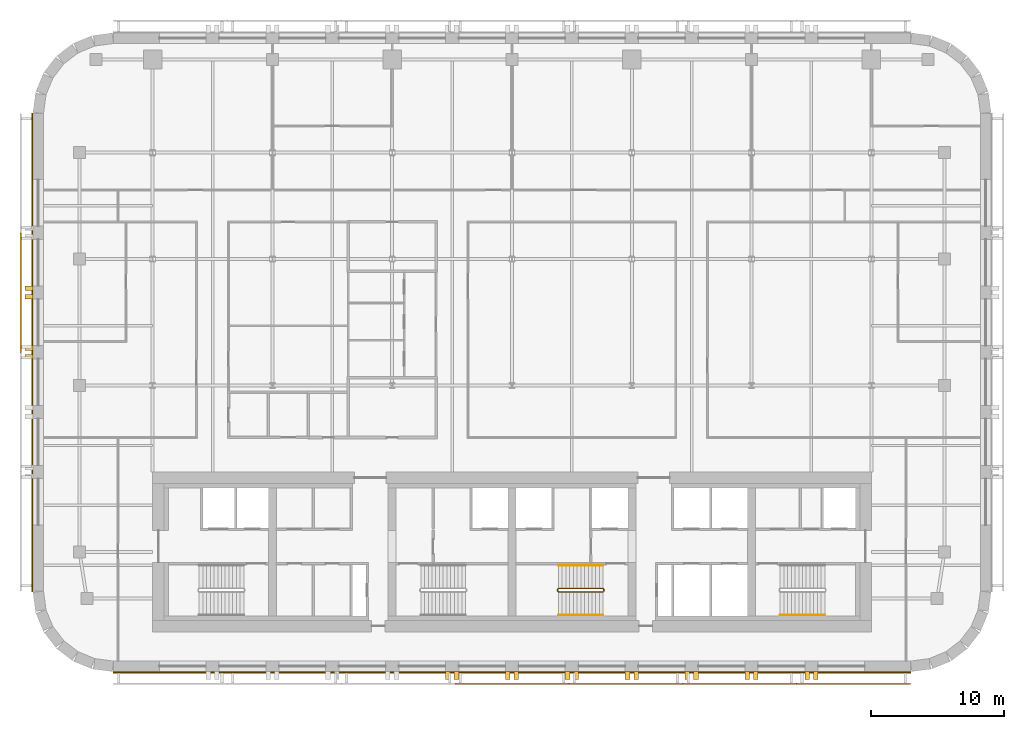
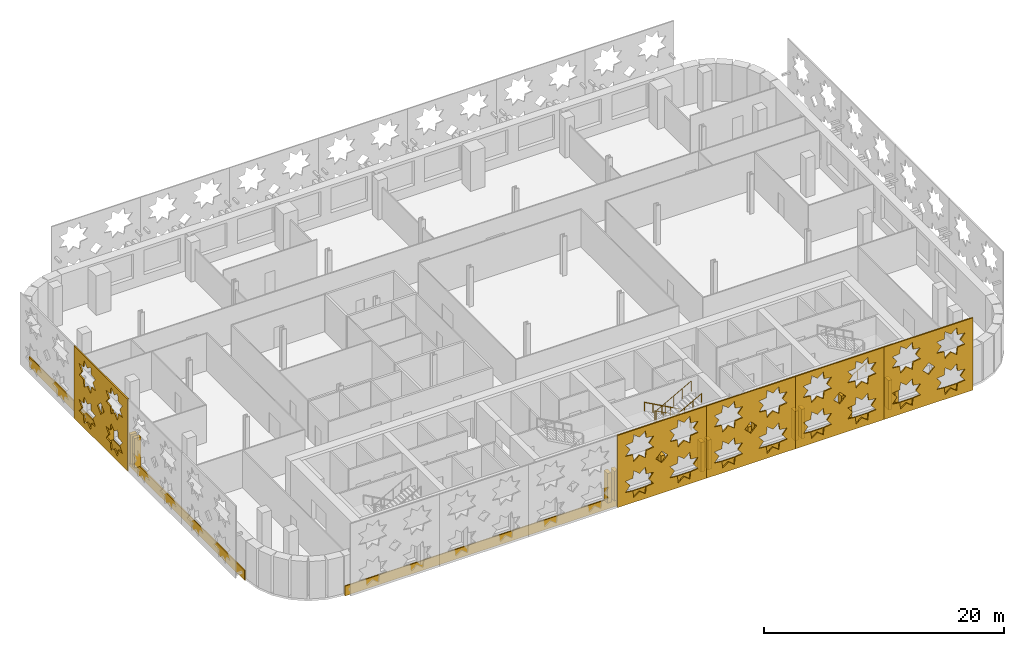
# One storey, part 11 of 13: 25 coverings, 4 railings.
"""IFC4 building model written with IfcOpenShell, lengths in metres."""

from ifc_helpers import new_model, si_unit, direction, frame, origin, origin_2d, place, context, subcontext, project, spatial, polyline, circle, outline, extrude, material, layer, layer_set, type_object, element, save


model = new_model("IFC4")

# Units and contexts
model_context = context("Model", 3, precision=1e-05, world=origin(), true_north=direction((0.0, 1.0)))
body_context = subcontext(model_context, "Body", "Model", "MODEL_VIEW")
ifc_project = project(units=[si_unit("LENGTHUNIT", "METRE"), si_unit("AREAUNIT", "SQUARE_METRE"), si_unit("VOLUMEUNIT", "CUBIC_METRE"), si_unit("PLANEANGLEUNIT", "RADIAN"), si_unit("MASSUNIT", "GRAM", prefix="KILO")], contexts=[model_context])

# Site, building, storey
site_placement = place(None, origin())
site = spatial("IfcSite", under=ifc_project, at=site_placement, CompositionType="ELEMENT")
building_placement = place(site_placement, origin())
building = spatial("IfcBuilding", under=site, at=building_placement, Name="Zellij Exchange Tower", CompositionType="ELEMENT")
storey_placement = place(building_placement, frame((0.0, 0.0, 172.5)))
storey = spatial("IfcBuildingStorey", under=building, at=storey_placement, Name="L39", CompositionType="ELEMENT", Elevation=172.5)

# Railings
ifc_material_1 = material(Name="Stainless steel", Category="steel")
railing_type_1 = type_object("IfcRailingType", Name="CORE-RG stair guard", PredefinedType="GUARDRAIL", material=ifc_material_1)
railing_1_placement = place(storey_placement, frame((6.89990234375, -10.800048828125, 0.0)))
element("IfcRailing", 1, at=railing_1_placement, inside=storey, type_object=railing_type_1, Name="ST3 stair guard L39", PredefinedType="GUARDRAIL", context=body_context, shape_type="SweptSolid", body=[
    extrude(circle(Radius=0.02392578125, at=origin_2d()), frame((0.0, 0.0, 1.076171875), z_axis=(0.0, -1.0, 0.0), x_axis=(1.0, 0.0, 0.0)), (0.0, 0.0, 1.0), 0.14990234375),
    extrude(circle(Radius=0.02392578125, at=origin_2d()), frame((0.0, -0.14990234375, 1.076171875), z_axis=(-0.193691321961, 0.777613689637, 0.598164376644), x_axis=(-0.970351222016, -0.241699205484, 0.0)), (0.0, 0.0, 1.0), 0.257080078125),
    extrude(circle(Radius=0.02392578125, at=origin_2d()), frame((-0.0498046875, 0.050048828125, 1.22998046875), z_axis=(-0.876421534553, 0.0, 0.481544695509), x_axis=(0.0, -1.0, 0.0)), (0.0, 0.0, 1.0), 3.833984375),
    extrude(circle(Radius=0.02392578125, at=origin_2d()), frame((-3.409912109375, 0.050048828125, 3.076171875), z_axis=(-0.707106781187, -0.707106781187, 0.0), x_axis=(0.707106781187, -0.707106781187, 0.0)), (0.0, 0.0, 1.0), 0.07080078125),
    extrude(circle(Radius=0.02392578125, at=origin_2d()), frame((-3.4599609375, 0.0, 3.076171875), z_axis=(0.0, -1.0, 0.0), x_axis=(1.0, 0.0, 0.0)), (0.0, 0.0, 1.0), 0.14990234375),
    extrude(circle(Radius=0.02392578125, at=origin_2d()), frame((-3.4599609375, -0.14990234375, 3.076171875), z_axis=(0.295599637079, -0.295599637079, 0.908428152975), x_axis=(0.707106781187, 0.707106781187, 0.0)), (0.0, 0.0, 1.0), 0.16943359375),
    extrude(circle(Radius=0.02392578125, at=origin_2d()), frame((-3.409912109375, -0.199951171875, 3.22998046875), z_axis=(0.876421534553, 0.0, 0.481544695509), x_axis=(0.0, 1.0, 0.0)), (0.0, 0.0, 1.0), 3.833984375),
    extrude(circle(Radius=0.02099609375, at=origin_2d()), origin(), (0.0, 0.0, 1.0), 1.052001953125),
    extrude(circle(Radius=0.02099609375, at=origin_2d()), frame((0.0, -0.14990234375, 0.0)), (0.0, 0.0, 1.0), 1.052001953125),
    extrude(circle(Radius=0.02099609375, at=origin_2d()), frame((-0.0498046875, 0.050048828125, 0.15380859375)), (0.0, 0.0, 1.0), 1.052001953125),
    extrude(circle(Radius=0.02099609375, at=origin_2d()), frame((-0.889892578125, 0.050048828125, 0.615234375)), (0.0, 0.0, 1.0), 1.052001953125),
    extrude(circle(Radius=0.02099609375, at=origin_2d()), frame((-1.72998046875, 0.050048828125, 1.076904296875)), (0.0, 0.0, 1.0), 1.052001953125),
    extrude(circle(Radius=0.02099609375, at=origin_2d()), frame((-2.56982421875, 0.050048828125, 1.53857421875)), (0.0, 0.0, 1.0), 1.052001953125),
    extrude(circle(Radius=0.02099609375, at=origin_2d()), frame((-3.409912109375, 0.050048828125, 2.0)), (0.0, 0.0, 1.0), 1.052001953125),
    extrude(circle(Radius=0.02099609375, at=origin_2d()), frame((-3.4599609375, 0.0, 2.0)), (0.0, 0.0, 1.0), 1.052001953125),
    extrude(circle(Radius=0.02099609375, at=origin_2d()), frame((-3.4599609375, -0.14990234375, 2.0)), (0.0, 0.0, 1.0), 1.052001953125),
    extrude(circle(Radius=0.02099609375, at=origin_2d()), frame((-3.409912109375, -0.199951171875, 2.15380859375)), (0.0, 0.0, 1.0), 1.052001953125),
    extrude(circle(Radius=0.02099609375, at=origin_2d()), frame((-2.56982421875, -0.199951171875, 2.615234375)), (0.0, 0.0, 1.0), 1.052001953125),
    extrude(circle(Radius=0.02099609375, at=origin_2d()), frame((-1.72998046875, -0.199951171875, 3.076904296875)), (0.0, 0.0, 1.0), 1.052001953125),
    extrude(circle(Radius=0.02099609375, at=origin_2d()), frame((-0.889892578125, -0.199951171875, 3.53857421875)), (0.0, 0.0, 1.0), 1.052001953125),
    extrude(circle(Radius=0.02099609375, at=origin_2d()), frame((-0.0498046875, -0.199951171875, 4.0)), (0.0, 0.0, 1.0), 1.052001953125),
])
railing_type_2 = type_object("IfcRailingType", Name="CORE-RH stair handrail", PredefinedType="HANDRAIL", material=ifc_material_1)
railing_2_placement = place(storey_placement, frame((6.85009765625, -9.0, 0.15380859375)))
element("IfcRailing", 2, at=railing_2_placement, inside=storey, type_object=railing_type_2, Name="ST3 stair handrail L39", PredefinedType="HANDRAIL", context=body_context, shape_type="SweptSolid", body=[
    extrude(circle(Radius=0.02392578125, at=origin_2d()), frame((0.0, 0.0, 0.8759765625), z_axis=(-0.876421534553, 0.0, 0.481544695509), x_axis=(0.0, -1.0, 0.0)), (0.0, 0.0, 1.0), 3.833984375),
    extrude(circle(Radius=0.02099609375, at=origin_2d()), origin(), (0.0, 0.0, 1.0), 0.851806640625),
    extrude(circle(Radius=0.02099609375, at=origin_2d()), frame((-0.840087890625, 0.0, 0.46142578125)), (0.0, 0.0, 1.0), 0.851806640625),
    extrude(circle(Radius=0.02099609375, at=origin_2d()), frame((-1.68017578125, 0.0, 0.923095703125)), (0.0, 0.0, 1.0), 0.851806640625),
    extrude(circle(Radius=0.02099609375, at=origin_2d()), frame((-2.52001953125, 0.0, 1.384765625)), (0.0, 0.0, 1.0), 0.851806640625),
    extrude(circle(Radius=0.02099609375, at=origin_2d()), frame((-3.360107421875, 0.0, 1.84619140625)), (0.0, 0.0, 1.0), 0.851806640625),
])
for number, where, name in (
    (3, (3.489990234375, -12.75, 2.15380859375), "ST3 stair handrail L39"),
    (4, (20.14990234375, -12.75, 0.15380859375), "ST4 stair handrail L39"),
):
    element("IfcRailing", number, at=place(storey_placement, frame(where)), inside=storey, type_object=railing_type_2, Name=name, PredefinedType="HANDRAIL", context=body_context, shape_type="SweptSolid", body=[
        extrude(circle(Radius=0.02392578125, at=origin_2d()), frame((0.0, 0.0, 0.8759765625), z_axis=(0.876421534553, 0.0, 0.481544695509), x_axis=(0.0, 1.0, 0.0)), (0.0, 0.0, 1.0), 3.833984375),
        extrude(circle(Radius=0.02099609375, at=origin_2d()), origin(), (0.0, 0.0, 1.0), 0.851806640625),
        extrude(circle(Radius=0.02099609375, at=origin_2d()), frame((0.840087890625, 0.0, 0.46142578125)), (0.0, 0.0, 1.0), 0.851806640625),
        extrude(circle(Radius=0.02099609375, at=origin_2d()), frame((1.68017578125, 0.0, 0.923095703125)), (0.0, 0.0, 1.0), 0.851806640625),
        extrude(circle(Radius=0.02099609375, at=origin_2d()), frame((2.52001953125, 0.0, 1.384765625)), (0.0, 0.0, 1.0), 0.851806640625),
        extrude(circle(Radius=0.02099609375, at=origin_2d()), frame((3.360107421875, 0.0, 1.84619140625)), (0.0, 0.0, 1.0), 0.851806640625),
    ])

# Coverings
ifc_material_2 = material(Name="Limestone cladding", Category="masonry")
covering_type_1 = type_object("IfcCoveringType", Name="ENV-CV3 Stone pier 350x600", PredefinedType="CLADDING", material=ifc_material_2)
covering_1_placement = place(storey_placement, frame((0.0, 0.0, 0.800048828125)))
element("IfcCovering", 5, at=covering_1_placement, inside=storey, type_object=covering_type_1, Name="Stone pier", PredefinedType="CLADDING", context=body_context, shape_type="SweptSolid", body=[
    extrude(outline(polyline([(-5.0, -17.0), (-4.64990234375, -17.0), (-4.64990234375, -17.60009765625), (-5.0, -17.60009765625), (-5.0, -17.0)])), origin(), (0.0, 0.0, 1.0), 3.0),
])
covering_2_placement = place(storey_placement, frame((0.0, 0.0, 0.800048828125)))
element("IfcCovering", 6, at=covering_2_placement, inside=storey, type_object=covering_type_1, Name="Stone pier", PredefinedType="CLADDING", context=body_context, shape_type="SweptSolid", body=[
    extrude(outline(polyline([(-4.35009765625, -17.0), (-4.0, -17.0), (-4.0, -17.60009765625), (-4.35009765625, -17.60009765625), (-4.35009765625, -17.0)])), origin(), (0.0, 0.0, 1.0), 3.0),
])
covering_3_placement = place(storey_placement, frame((0.0, 0.0, 0.800048828125)))
element("IfcCovering", 7, at=covering_3_placement, inside=storey, type_object=covering_type_1, Name="Stone pier", PredefinedType="CLADDING", context=body_context, shape_type="SweptSolid", body=[
    extrude(outline(polyline([(-0.5, -17.0), (-0.14990234375, -17.0), (-0.14990234375, -17.60009765625), (-0.5, -17.60009765625), (-0.5, -17.0)])), origin(), (0.0, 0.0, 1.0), 3.0),
])
covering_4_placement = place(storey_placement, frame((0.0, 0.0, 0.800048828125)))
element("IfcCovering", 8, at=covering_4_placement, inside=storey, type_object=covering_type_1, Name="Stone pier", PredefinedType="CLADDING", context=body_context, shape_type="SweptSolid", body=[
    extrude(outline(polyline([(0.14990234375, -17.0), (0.5, -17.0), (0.5, -17.60009765625), (0.14990234375, -17.60009765625), (0.14990234375, -17.0)])), origin(), (0.0, 0.0, 1.0), 3.0),
])
covering_5_placement = place(storey_placement, frame((0.0, 0.0, 0.800048828125)))
element("IfcCovering", 9, at=covering_5_placement, inside=storey, type_object=covering_type_1, Name="Stone pier", PredefinedType="CLADDING", context=body_context, shape_type="SweptSolid", body=[
    extrude(outline(polyline([(4.0, -17.0), (4.35009765625, -17.0), (4.35009765625, -17.60009765625), (4.0, -17.60009765625), (4.0, -17.0)])), origin(), (0.0, 0.0, 1.0), 3.0),
])
covering_6_placement = place(storey_placement, frame((0.0, 0.0, 0.800048828125)))
element("IfcCovering", 10, at=covering_6_placement, inside=storey, type_object=covering_type_1, Name="Stone pier", PredefinedType="CLADDING", context=body_context, shape_type="SweptSolid", body=[
    extrude(outline(polyline([(4.64990234375, -17.0), (5.0, -17.0), (5.0, -17.60009765625), (4.64990234375, -17.60009765625), (4.64990234375, -17.0)])), origin(), (0.0, 0.0, 1.0), 3.0),
])
covering_7_placement = place(storey_placement, frame((0.0, 0.0, 0.800048828125)))
element("IfcCovering", 11, at=covering_7_placement, inside=storey, type_object=covering_type_1, Name="Stone pier", PredefinedType="CLADDING", context=body_context, shape_type="SweptSolid", body=[
    extrude(outline(polyline([(8.5, -17.0), (8.85009765625, -17.0), (8.85009765625, -17.60009765625), (8.5, -17.60009765625), (8.5, -17.0)])), origin(), (0.0, 0.0, 1.0), 3.0),
])
covering_8_placement = place(storey_placement, frame((0.0, 0.0, 0.800048828125)))
element("IfcCovering", 12, at=covering_8_placement, inside=storey, type_object=covering_type_1, Name="Stone pier", PredefinedType="CLADDING", context=body_context, shape_type="SweptSolid", body=[
    extrude(outline(polyline([(9.14990234375, -17.0), (9.5, -17.0), (9.5, -17.60009765625), (9.14990234375, -17.60009765625), (9.14990234375, -17.0)])), origin(), (0.0, 0.0, 1.0), 3.0),
])
covering_9_placement = place(storey_placement, frame((0.0, 0.0, 0.800048828125)))
element("IfcCovering", 13, at=covering_9_placement, inside=storey, type_object=covering_type_1, Name="Stone pier", PredefinedType="CLADDING", context=body_context, shape_type="SweptSolid", body=[
    extrude(outline(polyline([(13.0, -17.0), (13.35009765625, -17.0), (13.35009765625, -17.60009765625), (13.0, -17.60009765625), (13.0, -17.0)])), origin(), (0.0, 0.0, 1.0), 3.0),
])
covering_10_placement = place(storey_placement, frame((0.0, 0.0, 0.800048828125)))
element("IfcCovering", 14, at=covering_10_placement, inside=storey, type_object=covering_type_1, Name="Stone pier", PredefinedType="CLADDING", context=body_context, shape_type="SweptSolid", body=[
    extrude(outline(polyline([(13.64990234375, -17.0), (14.0, -17.0), (14.0, -17.60009765625), (13.64990234375, -17.60009765625), (13.64990234375, -17.0)])), origin(), (0.0, 0.0, 1.0), 3.0),
])
covering_11_placement = place(storey_placement, frame((0.0, 0.0, 0.800048828125)))
element("IfcCovering", 15, at=covering_11_placement, inside=storey, type_object=covering_type_1, Name="Stone pier", PredefinedType="CLADDING", context=body_context, shape_type="SweptSolid", body=[
    extrude(outline(polyline([(17.5, -17.0), (17.85009765625, -17.0), (17.85009765625, -17.60009765625), (17.5, -17.60009765625), (17.5, -17.0)])), origin(), (0.0, 0.0, 1.0), 3.0),
])
covering_12_placement = place(storey_placement, frame((0.0, 0.0, 0.800048828125)))
element("IfcCovering", 16, at=covering_12_placement, inside=storey, type_object=covering_type_1, Name="Stone pier", PredefinedType="CLADDING", context=body_context, shape_type="SweptSolid", body=[
    extrude(outline(polyline([(18.14990234375, -17.0), (18.5, -17.0), (18.5, -17.60009765625), (18.14990234375, -17.60009765625), (18.14990234375, -17.0)])), origin(), (0.0, 0.0, 1.0), 3.0),
])
covering_13_placement = place(storey_placement, frame((0.0, 0.0, 0.800048828125)))
element("IfcCovering", 17, at=covering_13_placement, inside=storey, type_object=covering_type_1, Name="Stone pier", PredefinedType="CLADDING", context=body_context, shape_type="SweptSolid", body=[
    extrude(outline(polyline([(22.0, -17.0), (22.35009765625, -17.0), (22.35009765625, -17.60009765625), (22.0, -17.60009765625), (22.0, -17.0)])), origin(), (0.0, 0.0, 1.0), 3.0),
])
covering_14_placement = place(storey_placement, frame((0.0, 0.0, 0.800048828125)))
element("IfcCovering", 18, at=covering_14_placement, inside=storey, type_object=covering_type_1, Name="Stone pier", PredefinedType="CLADDING", context=body_context, shape_type="SweptSolid", body=[
    extrude(outline(polyline([(22.64990234375, -17.0), (23.0, -17.0), (23.0, -17.60009765625), (22.64990234375, -17.60009765625), (22.64990234375, -17.0)])), origin(), (0.0, 0.0, 1.0), 3.0),
])
covering_15_placement = place(storey_placement, frame((0.0, 0.0, 0.800048828125)))
element("IfcCovering", 19, at=covering_15_placement, inside=storey, type_object=covering_type_1, Name="Stone pier", PredefinedType="CLADDING", context=body_context, shape_type="SweptSolid", body=[
    extrude(outline(polyline([(-36.0, 11.993408203125), (-36.0, 11.6435546875), (-36.60009765625, 11.6435546875), (-36.60009765625, 11.993408203125), (-36.0, 11.993408203125)])), origin(), (0.0, 0.0, 1.0), 3.0),
])
covering_16_placement = place(storey_placement, frame((0.0, 0.0, 0.800048828125)))
element("IfcCovering", 20, at=covering_16_placement, inside=storey, type_object=covering_type_1, Name="Stone pier", PredefinedType="CLADDING", context=body_context, shape_type="SweptSolid", body=[
    extrude(outline(polyline([(-36.0, 11.343505859375), (-36.0, 10.993408203125), (-36.60009765625, 10.993408203125), (-36.60009765625, 11.343505859375), (-36.0, 11.343505859375)])), origin(), (0.0, 0.0, 1.0), 3.0),
])
covering_17_placement = place(storey_placement, frame((0.0, 0.0, 0.800048828125)))
element("IfcCovering", 21, at=covering_17_placement, inside=storey, type_object=covering_type_1, Name="Stone pier", PredefinedType="CLADDING", context=body_context, shape_type="SweptSolid", body=[
    extrude(outline(polyline([(-36.0, 7.5), (-36.0, 7.14990234375), (-36.60009765625, 7.14990234375), (-36.60009765625, 7.5), (-36.0, 7.5)])), origin(), (0.0, 0.0, 1.0), 3.0),
])
covering_18_placement = place(storey_placement, frame((0.0, 0.0, 0.800048828125)))
element("IfcCovering", 22, at=covering_18_placement, inside=storey, type_object=covering_type_1, Name="Stone pier", PredefinedType="CLADDING", context=body_context, shape_type="SweptSolid", body=[
    extrude(outline(polyline([(-36.0, 6.85009765625), (-36.0, 6.5), (-36.60009765625, 6.5), (-36.60009765625, 6.85009765625), (-36.0, 6.85009765625)])), origin(), (0.0, 0.0, 1.0), 3.0),
])
ifc_layer_1 = layer(ifc_material_2, 0.10009765625)
ifc_layer_set_1 = layer_set([ifc_layer_1], Name="Limestone cladding")
covering_type_2 = type_object("IfcCoveringType", Name="ENV-CV9 Stone spandrel band 100", PredefinedType="CLADDING", material=ifc_layer_set_1)
covering_19_placement = place(storey_placement, frame((0.0, 0.0, -0.199951171875)))
element("IfcCovering", 23, at=covering_19_placement, inside=storey, type_object=covering_type_2, Name="Stone spandrel band", PredefinedType="CLADDING", context=body_context, shape_type="SweptSolid", body=[
    extrude(outline(polyline([(-29.973876953125, -17.0), (29.973876953125, -17.0), (29.980224609375, -17.10009765625), (-29.980224609375, -17.10009765625), (-29.973876953125, -17.0)])), origin(), (0.0, 0.0, 1.0), 1.0),
])
covering_20_placement = place(storey_placement, frame((0.0, 0.0, -0.199951171875)))
element("IfcCovering", 24, at=covering_20_placement, inside=storey, type_object=covering_type_2, Name="Stone spandrel band", PredefinedType="CLADDING", context=body_context, shape_type="SweptSolid", body=[
    extrude(outline(polyline([(-36.0, 24.973876953125), (-36.0, -10.973876953125), (-36.10009765625, -10.980224609375), (-36.10009765625, 24.980224609375), (-36.0, 24.973876953125)])), origin(), (0.0, 0.0, 1.0), 1.0),
])
ifc_material_3 = material(Name="Limestone screen", Category="masonry")
ifc_layer_2 = layer(ifc_material_3, 0.1201171875)
ifc_layer_set_2 = layer_set([ifc_layer_2], Name="Limestone screen")
covering_type_3 = type_object("IfcCoveringType", Name="ENV-SC1 Pierced stone screen 120", PredefinedType="USERDEFINED", material=ifc_layer_set_2)
covering_21_placement = place(storey_placement, frame((-36.909912109375, 15.973876953125, 0.300048828125), z_axis=(0.0, 0.0, 1.0), x_axis=(0.0, -1.0, 0.0)))
element("IfcCovering", 25, at=covering_21_placement, inside=storey, type_object=covering_type_3, Name="Pierced stone screen", ObjectType="SCREEN", PredefinedType="USERDEFINED", context=body_context, shape_type="SweptSolid", body=[
    extrude(outline(polyline([(0.0, 0.0), (8.973876953125, 0.0), (8.973876953125, 7.35009765625), (0.0, 7.35009765625), (0.0, 0.0)]), holes=[polyline([(3.6015625, 2.39990234375), (2.887939453125, 2.48193359375), (2.805908203125, 3.195556640625), (2.243408203125, 2.748779296875), (1.680908203125, 3.195556640625), (1.59912109375, 2.48193359375), (0.88525390625, 2.39990234375), (1.33203125, 1.83740234375), (0.88525390625, 1.27490234375), (1.59912109375, 1.193115234375), (1.680908203125, 0.4794921875), (2.243408203125, 0.926025390625), (2.805908203125, 0.4794921875), (2.887939453125, 1.193115234375), (3.6015625, 1.27490234375), (3.15478515625, 1.83740234375), (3.6015625, 2.39990234375)]), polyline([(3.6015625, 6.074951171875), (2.887939453125, 6.156982421875), (2.805908203125, 6.87060546875), (2.243408203125, 6.423828125), (1.680908203125, 6.87060546875), (1.59912109375, 6.156982421875), (0.88525390625, 6.074951171875), (1.33203125, 5.512451171875), (0.88525390625, 4.949951171875), (1.59912109375, 4.867919921875), (1.680908203125, 4.154296875), (2.243408203125, 4.60107421875), (2.805908203125, 4.154296875), (2.887939453125, 4.867919921875), (3.6015625, 4.949951171875), (3.15478515625, 5.512451171875), (3.6015625, 6.074951171875)]), polyline([(8.08837890625, 2.39990234375), (7.374755859375, 2.48193359375), (7.29296875, 3.195556640625), (6.730224609375, 2.748779296875), (6.167724609375, 3.195556640625), (6.0859375, 2.48193359375), (5.372314453125, 2.39990234375), (5.81884765625, 1.83740234375), (5.372314453125, 1.27490234375), (6.0859375, 1.193115234375), (6.167724609375, 0.4794921875), (6.730224609375, 0.926025390625), (7.29296875, 0.4794921875), (7.374755859375, 1.193115234375), (8.08837890625, 1.27490234375), (7.6416015625, 1.83740234375), (8.08837890625, 2.39990234375)]), polyline([(8.08837890625, 6.074951171875), (7.374755859375, 6.156982421875), (7.29296875, 6.87060546875), (6.730224609375, 6.423828125), (6.167724609375, 6.87060546875), (6.0859375, 6.156982421875), (5.372314453125, 6.074951171875), (5.81884765625, 5.512451171875), (5.372314453125, 4.949951171875), (6.0859375, 4.867919921875), (6.167724609375, 4.154296875), (6.730224609375, 4.60107421875), (7.29296875, 4.154296875), (7.374755859375, 4.867919921875), (8.08837890625, 4.949951171875), (7.6416015625, 5.512451171875), (8.08837890625, 6.074951171875)]), polyline([(5.074951171875, 3.675048828125), (4.48681640625, 4.262939453125), (3.89892578125, 3.675048828125), (4.48681640625, 3.0869140625), (5.074951171875, 3.675048828125)])]), frame((0.0, 0.06005859375, 0.0), z_axis=(0.0, -1.0, 0.0), x_axis=(1.0, 0.0, 0.0)), (0.0, 0.0, 1.0), 0.1201171875),
])
covering_22_placement = place(storey_placement, frame((-4.2783203125, -17.909912109375, 0.300048828125), z_axis=(0.0, 0.0, 1.0), x_axis=(1.0, 0.0, 0.0)))
element("IfcCovering", 26, at=covering_22_placement, inside=storey, type_object=covering_type_3, Name="Pierced stone screen", ObjectType="SCREEN", PredefinedType="USERDEFINED", context=body_context, shape_type="SweptSolid", body=[
    extrude(outline(polyline([(0.0, 0.0), (8.556396484375, 0.0), (8.556396484375, 7.35009765625), (0.0, 7.35009765625), (0.0, 0.0)]), holes=[polyline([(3.497314453125, 2.39990234375), (2.78369140625, 2.48193359375), (2.70166015625, 3.195556640625), (2.13916015625, 2.748779296875), (1.57666015625, 3.195556640625), (1.49462890625, 2.48193359375), (0.781005859375, 2.39990234375), (1.227783203125, 1.83740234375), (0.781005859375, 1.27490234375), (1.49462890625, 1.193115234375), (1.57666015625, 0.4794921875), (2.13916015625, 0.926025390625), (2.70166015625, 0.4794921875), (2.78369140625, 1.193115234375), (3.497314453125, 1.27490234375), (3.050537109375, 1.83740234375), (3.497314453125, 2.39990234375)]), polyline([(3.497314453125, 6.074951171875), (2.78369140625, 6.156982421875), (2.70166015625, 6.87060546875), (2.13916015625, 6.423828125), (1.57666015625, 6.87060546875), (1.49462890625, 6.156982421875), (0.781005859375, 6.074951171875), (1.227783203125, 5.512451171875), (0.781005859375, 4.949951171875), (1.49462890625, 4.867919921875), (1.57666015625, 4.154296875), (2.13916015625, 4.60107421875), (2.70166015625, 4.154296875), (2.78369140625, 4.867919921875), (3.497314453125, 4.949951171875), (3.050537109375, 5.512451171875), (3.497314453125, 6.074951171875)]), polyline([(7.775390625, 2.39990234375), (7.061767578125, 2.48193359375), (6.97998046875, 3.195556640625), (6.417236328125, 2.748779296875), (5.854736328125, 3.195556640625), (5.77294921875, 2.48193359375), (5.05908203125, 2.39990234375), (5.505859375, 1.83740234375), (5.05908203125, 1.27490234375), (5.77294921875, 1.193115234375), (5.854736328125, 0.4794921875), (6.417236328125, 0.926025390625), (6.97998046875, 0.4794921875), (7.061767578125, 1.193115234375), (7.775390625, 1.27490234375), (7.32861328125, 1.83740234375), (7.775390625, 2.39990234375)]), polyline([(7.775390625, 6.074951171875), (7.061767578125, 6.156982421875), (6.97998046875, 6.87060546875), (6.417236328125, 6.423828125), (5.854736328125, 6.87060546875), (5.77294921875, 6.156982421875), (5.05908203125, 6.074951171875), (5.505859375, 5.512451171875), (5.05908203125, 4.949951171875), (5.77294921875, 4.867919921875), (5.854736328125, 4.154296875), (6.417236328125, 4.60107421875), (6.97998046875, 4.154296875), (7.061767578125, 4.867919921875), (7.775390625, 4.949951171875), (7.32861328125, 5.512451171875), (7.775390625, 6.074951171875)]), polyline([(4.8662109375, 3.675048828125), (4.2783203125, 4.262939453125), (3.690185546875, 3.675048828125), (4.2783203125, 3.0869140625), (4.8662109375, 3.675048828125)])]), frame((0.0, 0.06005859375, 0.0), z_axis=(0.0, -1.0, 0.0), x_axis=(1.0, 0.0, 0.0)), (0.0, 0.0, 1.0), 0.1201171875),
])
covering_23_placement = place(storey_placement, frame((4.2783203125, -17.909912109375, 0.300048828125), z_axis=(0.0, 0.0, 1.0), x_axis=(1.0, 0.0, 0.0)))
element("IfcCovering", 27, at=covering_23_placement, inside=storey, type_object=covering_type_3, Name="Pierced stone screen", ObjectType="SCREEN", PredefinedType="USERDEFINED", context=body_context, shape_type="SweptSolid", body=[
    extrude(outline(polyline([(0.0, 0.0), (8.556396484375, 0.0), (8.556396484375, 7.35009765625), (0.0, 7.35009765625), (0.0, 0.0)]), holes=[polyline([(3.497314453125, 2.39990234375), (2.78369140625, 2.48193359375), (2.70166015625, 3.195556640625), (2.13916015625, 2.748779296875), (1.57666015625, 3.195556640625), (1.49462890625, 2.48193359375), (0.781005859375, 2.39990234375), (1.227783203125, 1.83740234375), (0.781005859375, 1.27490234375), (1.49462890625, 1.193115234375), (1.57666015625, 0.4794921875), (2.13916015625, 0.926025390625), (2.70166015625, 0.4794921875), (2.78369140625, 1.193115234375), (3.497314453125, 1.27490234375), (3.050537109375, 1.83740234375), (3.497314453125, 2.39990234375)]), polyline([(3.497314453125, 6.074951171875), (2.78369140625, 6.156982421875), (2.70166015625, 6.87060546875), (2.13916015625, 6.423828125), (1.57666015625, 6.87060546875), (1.49462890625, 6.156982421875), (0.781005859375, 6.074951171875), (1.227783203125, 5.512451171875), (0.781005859375, 4.949951171875), (1.49462890625, 4.867919921875), (1.57666015625, 4.154296875), (2.13916015625, 4.60107421875), (2.70166015625, 4.154296875), (2.78369140625, 4.867919921875), (3.497314453125, 4.949951171875), (3.050537109375, 5.512451171875), (3.497314453125, 6.074951171875)]), polyline([(7.775390625, 2.39990234375), (7.061767578125, 2.48193359375), (6.97998046875, 3.195556640625), (6.417236328125, 2.748779296875), (5.854736328125, 3.195556640625), (5.77294921875, 2.48193359375), (5.05908203125, 2.39990234375), (5.505859375, 1.83740234375), (5.05908203125, 1.27490234375), (5.77294921875, 1.193115234375), (5.854736328125, 0.4794921875), (6.417236328125, 0.926025390625), (6.97998046875, 0.4794921875), (7.061767578125, 1.193115234375), (7.775390625, 1.27490234375), (7.32861328125, 1.83740234375), (7.775390625, 2.39990234375)]), polyline([(7.775390625, 6.074951171875), (7.061767578125, 6.156982421875), (6.97998046875, 6.87060546875), (6.417236328125, 6.423828125), (5.854736328125, 6.87060546875), (5.77294921875, 6.156982421875), (5.05908203125, 6.074951171875), (5.505859375, 5.512451171875), (5.05908203125, 4.949951171875), (5.77294921875, 4.867919921875), (5.854736328125, 4.154296875), (6.417236328125, 4.60107421875), (6.97998046875, 4.154296875), (7.061767578125, 4.867919921875), (7.775390625, 4.949951171875), (7.32861328125, 5.512451171875), (7.775390625, 6.074951171875)]), polyline([(4.8662109375, 3.675048828125), (4.2783203125, 4.262939453125), (3.690185546875, 3.675048828125), (4.2783203125, 3.0869140625), (4.8662109375, 3.675048828125)])]), frame((0.0, 0.06005859375, 0.0), z_axis=(0.0, -1.0, 0.0), x_axis=(1.0, 0.0, 0.0)), (0.0, 0.0, 1.0), 0.1201171875),
])
covering_24_placement = place(storey_placement, frame((12.834716796875, -17.909912109375, 0.300048828125), z_axis=(0.0, 0.0, 1.0), x_axis=(1.0, 0.0, 0.0)))
element("IfcCovering", 28, at=covering_24_placement, inside=storey, type_object=covering_type_3, Name="Pierced stone screen", ObjectType="SCREEN", PredefinedType="USERDEFINED", context=body_context, shape_type="SweptSolid", body=[
    extrude(outline(polyline([(0.0, 0.0), (8.556396484375, 0.0), (8.556396484375, 7.35009765625), (0.0, 7.35009765625), (0.0, 0.0)]), holes=[polyline([(3.497314453125, 2.39990234375), (2.78369140625, 2.48193359375), (2.70166015625, 3.195556640625), (2.13916015625, 2.748779296875), (1.57666015625, 3.195556640625), (1.49462890625, 2.48193359375), (0.781005859375, 2.39990234375), (1.227783203125, 1.83740234375), (0.781005859375, 1.27490234375), (1.49462890625, 1.193115234375), (1.57666015625, 0.4794921875), (2.13916015625, 0.926025390625), (2.70166015625, 0.4794921875), (2.78369140625, 1.193115234375), (3.497314453125, 1.27490234375), (3.050537109375, 1.83740234375), (3.497314453125, 2.39990234375)]), polyline([(3.497314453125, 6.074951171875), (2.78369140625, 6.156982421875), (2.70166015625, 6.87060546875), (2.13916015625, 6.423828125), (1.57666015625, 6.87060546875), (1.49462890625, 6.156982421875), (0.781005859375, 6.074951171875), (1.227783203125, 5.512451171875), (0.781005859375, 4.949951171875), (1.49462890625, 4.867919921875), (1.57666015625, 4.154296875), (2.13916015625, 4.60107421875), (2.70166015625, 4.154296875), (2.78369140625, 4.867919921875), (3.497314453125, 4.949951171875), (3.050537109375, 5.512451171875), (3.497314453125, 6.074951171875)]), polyline([(7.775390625, 2.39990234375), (7.061767578125, 2.48193359375), (6.97998046875, 3.195556640625), (6.417236328125, 2.748779296875), (5.854736328125, 3.195556640625), (5.77294921875, 2.48193359375), (5.05908203125, 2.39990234375), (5.505859375, 1.83740234375), (5.05908203125, 1.27490234375), (5.77294921875, 1.193115234375), (5.854736328125, 0.4794921875), (6.417236328125, 0.926025390625), (6.97998046875, 0.4794921875), (7.061767578125, 1.193115234375), (7.775390625, 1.27490234375), (7.32861328125, 1.83740234375), (7.775390625, 2.39990234375)]), polyline([(7.775390625, 6.074951171875), (7.061767578125, 6.156982421875), (6.97998046875, 6.87060546875), (6.417236328125, 6.423828125), (5.854736328125, 6.87060546875), (5.77294921875, 6.156982421875), (5.05908203125, 6.074951171875), (5.505859375, 5.512451171875), (5.05908203125, 4.949951171875), (5.77294921875, 4.867919921875), (5.854736328125, 4.154296875), (6.417236328125, 4.60107421875), (6.97998046875, 4.154296875), (7.061767578125, 4.867919921875), (7.775390625, 4.949951171875), (7.32861328125, 5.512451171875), (7.775390625, 6.074951171875)]), polyline([(4.8662109375, 3.675048828125), (4.2783203125, 4.262939453125), (3.690185546875, 3.675048828125), (4.2783203125, 3.0869140625), (4.8662109375, 3.675048828125)])]), frame((0.0, 0.06005859375, 0.0), z_axis=(0.0, -1.0, 0.0), x_axis=(1.0, 0.0, 0.0)), (0.0, 0.0, 1.0), 0.1201171875),
])
covering_25_placement = place(storey_placement, frame((21.39111328125, -17.909912109375, 0.300048828125), z_axis=(0.0, 0.0, 1.0), x_axis=(1.0, 0.0, 0.0)))
element("IfcCovering", 29, at=covering_25_placement, inside=storey, type_object=covering_type_3, Name="Pierced stone screen", ObjectType="SCREEN", PredefinedType="USERDEFINED", context=body_context, shape_type="SweptSolid", body=[
    extrude(outline(polyline([(0.0, 0.0), (8.556396484375, 0.0), (8.556396484375, 7.35009765625), (0.0, 7.35009765625), (0.0, 0.0)]), holes=[polyline([(3.497314453125, 2.39990234375), (2.78369140625, 2.48193359375), (2.70166015625, 3.195556640625), (2.13916015625, 2.748779296875), (1.57666015625, 3.195556640625), (1.49462890625, 2.48193359375), (0.781005859375, 2.39990234375), (1.227783203125, 1.83740234375), (0.781005859375, 1.27490234375), (1.49462890625, 1.193115234375), (1.57666015625, 0.4794921875), (2.13916015625, 0.926025390625), (2.70166015625, 0.4794921875), (2.78369140625, 1.193115234375), (3.497314453125, 1.27490234375), (3.050537109375, 1.83740234375), (3.497314453125, 2.39990234375)]), polyline([(3.497314453125, 6.074951171875), (2.78369140625, 6.156982421875), (2.70166015625, 6.87060546875), (2.13916015625, 6.423828125), (1.57666015625, 6.87060546875), (1.49462890625, 6.156982421875), (0.781005859375, 6.074951171875), (1.227783203125, 5.512451171875), (0.781005859375, 4.949951171875), (1.49462890625, 4.867919921875), (1.57666015625, 4.154296875), (2.13916015625, 4.60107421875), (2.70166015625, 4.154296875), (2.78369140625, 4.867919921875), (3.497314453125, 4.949951171875), (3.050537109375, 5.512451171875), (3.497314453125, 6.074951171875)]), polyline([(7.775390625, 2.39990234375), (7.061767578125, 2.48193359375), (6.97998046875, 3.195556640625), (6.417236328125, 2.748779296875), (5.854736328125, 3.195556640625), (5.77294921875, 2.48193359375), (5.05908203125, 2.39990234375), (5.505859375, 1.83740234375), (5.05908203125, 1.27490234375), (5.77294921875, 1.193115234375), (5.854736328125, 0.4794921875), (6.417236328125, 0.926025390625), (6.97998046875, 0.4794921875), (7.061767578125, 1.193115234375), (7.775390625, 1.27490234375), (7.32861328125, 1.83740234375), (7.775390625, 2.39990234375)]), polyline([(7.775390625, 6.074951171875), (7.061767578125, 6.156982421875), (6.97998046875, 6.87060546875), (6.417236328125, 6.423828125), (5.854736328125, 6.87060546875), (5.77294921875, 6.156982421875), (5.05908203125, 6.074951171875), (5.505859375, 5.512451171875), (5.05908203125, 4.949951171875), (5.77294921875, 4.867919921875), (5.854736328125, 4.154296875), (6.417236328125, 4.60107421875), (6.97998046875, 4.154296875), (7.061767578125, 4.867919921875), (7.775390625, 4.949951171875), (7.32861328125, 5.512451171875), (7.775390625, 6.074951171875)]), polyline([(4.8662109375, 3.675048828125), (4.2783203125, 4.262939453125), (3.690185546875, 3.675048828125), (4.2783203125, 3.0869140625), (4.8662109375, 3.675048828125)])]), frame((0.0, 0.06005859375, 0.0), z_axis=(0.0, -1.0, 0.0), x_axis=(1.0, 0.0, 0.0)), (0.0, 0.0, 1.0), 0.1201171875),
])

save(model, "model.ifc")
